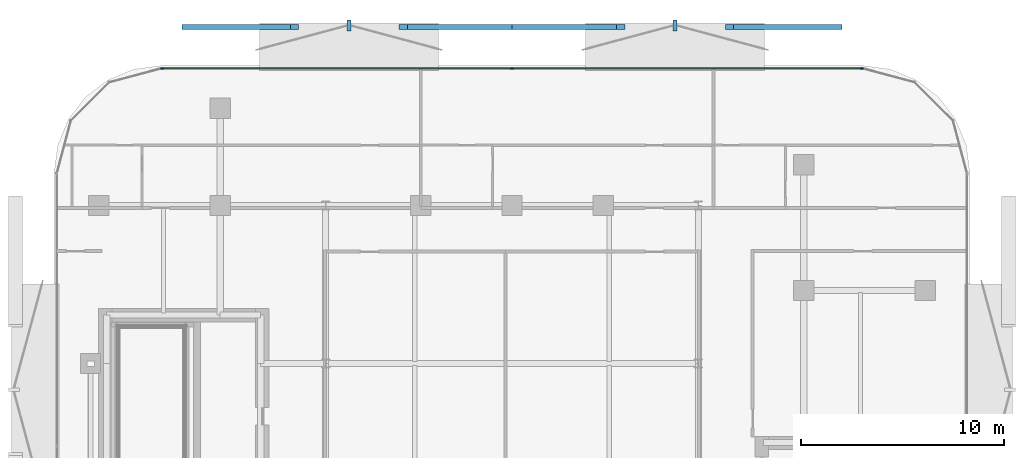
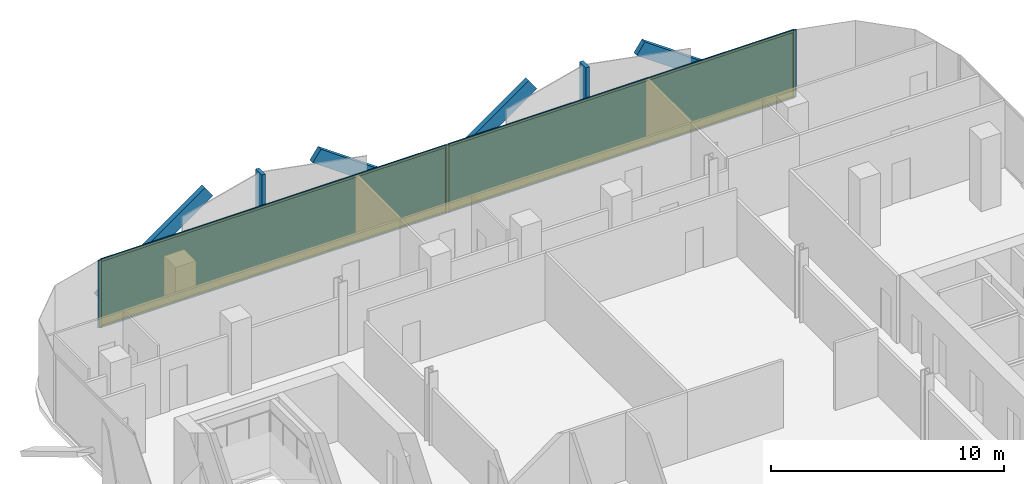
# One storey, part 11 of 16: 13 members, 2 plates, 1 curtain wall.
"""IFC4 building model written with IfcOpenShell, lengths in metres."""

from ifc_helpers import new_model, si_unit, direction, frame, frame_2d, origin, origin_2d, place, context, subcontext, project, spatial, rectangle, extrude, material, layer, layer_set, material_profile, profile_set, type_object, element, aggregate, save


model = new_model("IFC4")

# Units and contexts
model_context = context("Model", 3, precision=1e-05, world=origin(), true_north=direction((0.0, 1.0)))
body_context = subcontext(model_context, "Body", "Model", "MODEL_VIEW")
ifc_project = project(units=[si_unit("LENGTHUNIT", "METRE"), si_unit("AREAUNIT", "SQUARE_METRE"), si_unit("VOLUMEUNIT", "CUBIC_METRE"), si_unit("PLANEANGLEUNIT", "RADIAN"), si_unit("MASSUNIT", "GRAM", prefix="KILO")], contexts=[model_context])

# Member
ifc_material_1 = material(Name="Anodised Bronze Aluminium 6063-T6", Category="aluminium")
ifc_material_profile_1 = material_profile(ifc_material_1, rectangle(XDim=0.260009765625, YDim=0.699951171875, at=origin_2d()))
ifc_profile_set_1 = profile_set([ifc_material_profile_1], Name="Anodised Bronze Aluminium 6063-T6")
member_type_1 = type_object("IfcMemberType", Name="Bronze Diamond Solar-Screen Lattice Rib BDL-700", PredefinedType="MULLION", material=ifc_profile_set_1)
site_placement = place(None, origin())
building_placement = place(site_placement, origin())
storey_placement = place(building_placement, frame((0.0, 0.0, 206.800048828125)))
member_1_placement = place(storey_placement, frame((-16.0908203125, 27.39990234375, -0.130126953125), z_axis=(0.815960970702, 0.0, 0.578106992079), x_axis=(0.0, 1.0, 0.0)))
member_1 = element("IfcMember", 1, at=member_1_placement, type_object=member_type_1, Name="L48 Bronze Diamond Solar Screen Lattice Rib 325A", PredefinedType="MULLION", context=body_context, shape_type="SweptSolid", body=[
    extrude(rectangle(XDim=0.260009765625, YDim=0.699951171875, at=origin_2d()), origin(), (0.0, 0.0, 1.0), 6.5732421875),
])

member_2_placement = place(storey_placement, frame((0.0, 27.39990234375, -0.130126953125), z_axis=(-0.815960970702, 0.0, 0.578106992079), x_axis=(0.0, -1.0, 0.0)))
member_2 = element("IfcMember", 2, at=member_2_placement, type_object=member_type_1, Name="L48 Bronze Diamond Solar Screen Lattice Rib 325B", PredefinedType="MULLION", context=body_context, shape_type="SweptSolid", body=[
    extrude(rectangle(XDim=0.260009765625, YDim=0.699951171875, at=origin_2d()), origin(), (0.0, 0.0, 1.0), 6.5732421875),
])

member_3_placement = place(storey_placement, frame((0.0, 27.39990234375, -0.130126953125), z_axis=(0.815960970702, 0.0, 0.578106992079), x_axis=(0.0, 1.0, 0.0)))
member_3 = element("IfcMember", 3, at=member_3_placement, type_object=member_type_1, Name="L48 Bronze Diamond Solar Screen Lattice Rib 326A", PredefinedType="MULLION", context=body_context, shape_type="SweptSolid", body=[
    extrude(rectangle(XDim=0.260009765625, YDim=0.699951171875, at=origin_2d()), origin(), (0.0, 0.0, 1.0), 6.5732421875),
])

member_4_placement = place(storey_placement, frame((16.0908203125, 27.39990234375, -0.130126953125), z_axis=(-0.815960970702, 0.0, 0.578106992079), x_axis=(0.0, -1.0, 0.0)))
member_4 = element("IfcMember", 4, at=member_4_placement, type_object=member_type_1, Name="L48 Bronze Diamond Solar Screen Lattice Rib 326B", PredefinedType="MULLION", context=body_context, shape_type="SweptSolid", body=[
    extrude(rectangle(XDim=0.260009765625, YDim=0.699951171875, at=origin_2d()), origin(), (0.0, 0.0, 1.0), 6.5732421875),
])

ifc_material_2 = material(Name="Anodised Bronze Aluminium 6063-T6", Category="aluminium")
ifc_material_profile_2 = material_profile(ifc_material_2, rectangle(XDim=0.179931640625, YDim=0.5400390625, at=origin_2d()))
ifc_profile_set_2 = profile_set([ifc_material_profile_2], Name="Anodised Bronze Aluminium 6063-T6")
member_type_2 = type_object("IfcMemberType", Name="Bronze Solar-Screen Vertical Fold Fin BSF-540", PredefinedType="MULLION", material=ifc_profile_set_2)
member_5_placement = place(storey_placement, frame((-8.04541015625, 27.47998046875, -0.130126953125), z_axis=(0.0, 0.0, 1.0), x_axis=(1.0, 0.0, 0.0)))
member_5 = element("IfcMember", 5, at=member_5_placement, type_object=member_type_2, Name="L48 Bronze Solar Screen Vertical Fin 325", PredefinedType="MULLION", context=body_context, shape_type="SweptSolid", body=[
    extrude(rectangle(XDim=0.179931640625, YDim=0.5400390625, at=origin_2d()), origin(), (0.0, 0.0, 1.0), 3.800048828125),
])

member_6_placement = place(storey_placement, frame((8.04541015625, 27.47998046875, -0.130126953125), z_axis=(0.0, 0.0, 1.0), x_axis=(1.0, 0.0, 0.0)))
member_6 = element("IfcMember", 6, at=member_6_placement, type_object=member_type_2, Name="L48 Bronze Solar Screen Vertical Fin 326", PredefinedType="MULLION", context=body_context, shape_type="SweptSolid", body=[
    extrude(rectangle(XDim=0.179931640625, YDim=0.5400390625, at=origin_2d()), origin(), (0.0, 0.0, 1.0), 3.800048828125),
])

ifc_material_3 = material(Name="Anodised Bronze Aluminium 6063-T6", Category="aluminium")
ifc_material_profile_3 = material_profile(ifc_material_3, rectangle(XDim=0.06005859375, YDim=0.1650390625, at=origin_2d()))
ifc_profile_set_3 = profile_set([ifc_material_profile_3], Name="Anodised Bronze Aluminium 6063-T6")
member_type_3 = type_object("IfcMemberType", Name="CW-Z3 Mullion 60x165", PredefinedType="MULLION", material=ifc_profile_set_3)
member_7_placement = place(storey_placement, frame((-17.2607421875, 25.360107421875, 0.0), z_axis=(0.0, 0.0, 1.0), x_axis=(0.0, 1.0, 0.0)))
member_7 = element("IfcMember", 7, at=member_7_placement, type_object=member_type_3, Name="CW-Z3 mullion 1", PredefinedType="MULLION", context=body_context, shape_type="SweptSolid", body=[
    extrude(rectangle(XDim=0.06005859375, YDim=0.1650390625, at=origin_2d()), origin(), (0.0, 0.0, 1.0), 3.5400390625),
])

member_8_placement = place(storey_placement, frame((0.0, 25.360107421875, 0.0), z_axis=(0.0, 0.0, 1.0), x_axis=(0.0, 1.0, 0.0)))
member_8 = element("IfcMember", 8, at=member_8_placement, type_object=member_type_3, Name="CW-Z3 mullion 2", PredefinedType="MULLION", context=body_context, shape_type="SweptSolid", body=[
    extrude(rectangle(XDim=0.06005859375, YDim=0.1650390625, at=origin_2d()), origin(), (0.0, 0.0, 1.0), 3.5400390625),
])

member_9_placement = place(storey_placement, frame((17.2607421875, 25.360107421875, 0.0), z_axis=(0.0, 0.0, 1.0), x_axis=(0.0, 1.0, 0.0)))
member_9 = element("IfcMember", 9, at=member_9_placement, type_object=member_type_3, Name="CW-Z3 mullion 3", PredefinedType="MULLION", context=body_context, shape_type="SweptSolid", body=[
    extrude(rectangle(XDim=0.06005859375, YDim=0.1650390625, at=origin_2d()), origin(), (0.0, 0.0, 1.0), 3.5400390625),
])

ifc_material_4 = material(Name="Anodised Bronze Aluminium 6063-T6", Category="aluminium")
ifc_material_profile_4 = material_profile(ifc_material_4, rectangle(XDim=0.06005859375, YDim=0.1298828125, at=origin_2d()))
ifc_profile_set_4 = profile_set([ifc_material_profile_4], Name="Anodised Bronze Aluminium 6063-T6")
member_type_4 = type_object("IfcMemberType", Name="CW-Z3 Transom 60x130", PredefinedType="USERDEFINED", material=ifc_profile_set_4)
member_10_placement = place(storey_placement, frame((-17.230712890625, 25.360107421875, 0.030029296875), z_axis=(1.0, 0.0, 0.0), x_axis=(0.0, 1.0, 0.0)))
member_10 = element("IfcMember", 10, at=member_10_placement, type_object=member_type_4, Name="CW-Z3 transom 1.1", ObjectType="TRANSOM", PredefinedType="USERDEFINED", context=body_context, shape_type="SweptSolid", body=[
    extrude(rectangle(XDim=0.06005859375, YDim=0.1298828125, at=origin_2d()), origin(), (0.0, 0.0, 1.0), 17.20068359375),
])

member_11_placement = place(storey_placement, frame((-17.230712890625, 25.360107421875, 3.510009765625), z_axis=(1.0, 0.0, 0.0), x_axis=(0.0, 1.0, 0.0)))
member_11 = element("IfcMember", 11, at=member_11_placement, type_object=member_type_4, Name="CW-Z3 transom 1.2", ObjectType="TRANSOM", PredefinedType="USERDEFINED", context=body_context, shape_type="SweptSolid", body=[
    extrude(rectangle(XDim=0.06005859375, YDim=0.1298828125, at=origin_2d()), origin(), (0.0, 0.0, 1.0), 17.20068359375),
])

member_12_placement = place(storey_placement, frame((0.030029296875, 25.360107421875, 0.030029296875), z_axis=(1.0, 0.0, 0.0), x_axis=(0.0, 1.0, 0.0)))
member_12 = element("IfcMember", 12, at=member_12_placement, type_object=member_type_4, Name="CW-Z3 transom 2.1", ObjectType="TRANSOM", PredefinedType="USERDEFINED", context=body_context, shape_type="SweptSolid", body=[
    extrude(rectangle(XDim=0.06005859375, YDim=0.1298828125, at=origin_2d()), origin(), (0.0, 0.0, 1.0), 17.20068359375),
])

member_13_placement = place(storey_placement, frame((0.030029296875, 25.360107421875, 3.510009765625), z_axis=(1.0, 0.0, 0.0), x_axis=(0.0, 1.0, 0.0)))
member_13 = element("IfcMember", 13, at=member_13_placement, type_object=member_type_4, Name="CW-Z3 transom 2.2", ObjectType="TRANSOM", PredefinedType="USERDEFINED", context=body_context, shape_type="SweptSolid", body=[
    extrude(rectangle(XDim=0.06005859375, YDim=0.1298828125, at=origin_2d()), origin(), (0.0, 0.0, 1.0), 17.20068359375),
])

# Plate
ifc_material_5 = material(Name="Low-E Solar Control Laminated Glass", Category="glass")
ifc_layer_1 = layer(ifc_material_5, 0.030029296875, Name="Low-E Solar Control Laminated Glass")
ifc_layer_set_1 = layer_set([ifc_layer_1], Name="Low-E Solar Control Laminated Glass")
plate_type = type_object("IfcPlateType", Name="CW-Z3 Low-E Double Glazed Panel 30mm", PredefinedType="CURTAIN_PANEL", material=ifc_layer_set_1)
plate_1_placement = place(storey_placement, frame((-8.63037109375, 25.360107421875, 0.06005859375), z_axis=(0.0, 0.0, 1.0), x_axis=(1.0, 0.0, 0.0)))
plate_1 = element("IfcPlate", 14, at=plate_1_placement, type_object=plate_type, Name="CW-Z3 panel 1.1", PredefinedType="CURTAIN_PANEL", context=body_context, shape_type="SweptSolid", body=[
    extrude(rectangle(XDim=17.20068359375, YDim=0.030029296875, at=origin_2d()), origin(), (0.0, 0.0, 1.0), 3.419921875),
])

plate_2_placement = place(storey_placement, frame((8.63037109375, 25.360107421875, 0.06005859375), z_axis=(0.0, 0.0, 1.0), x_axis=(1.0, 0.0, 0.0)))
plate_2 = element("IfcPlate", 15, at=plate_2_placement, type_object=plate_type, Name="CW-Z3 panel 2.1", PredefinedType="CURTAIN_PANEL", context=body_context, shape_type="SweptSolid", body=[
    extrude(rectangle(XDim=17.20068359375, YDim=0.030029296875, at=origin_2d()), origin(), (0.0, 0.0, 1.0), 3.419921875),
])

# Site, building, storey
site = spatial("IfcSite", under=ifc_project, at=site_placement, CompositionType="ELEMENT")
building = spatial("IfcBuilding", under=site, at=building_placement, Name="Khairoan Windgate Tower", CompositionType="ELEMENT")
storey = spatial("IfcBuildingStorey", under=building, at=storey_placement, Name="L48", CompositionType="ELEMENT", Elevation=206.800048828125)

# Curtain wall
ifc_material_6 = material(Name="Anodised Bronze Aluminium 6063-T6", Category="aluminium")
ifc_layer_2 = layer(ifc_material_6, 0.1650390625, Name="Anodised Bronze Aluminium 6063-T6")
ifc_layer_set_2 = layer_set([ifc_layer_2], Name="Anodised Bronze Aluminium 6063-T6")
curtain_wall_type = type_object("IfcCurtainWallType", Name="Luxury Hotel Acoustic Curtain Wall CW-Z3", PredefinedType="NOTDEFINED", material=ifc_layer_set_2)
curtain_wall_placement = place(storey_placement, frame((-17.290771484375, 25.360107421875, 0.0), z_axis=(0.0, 0.0, 1.0), x_axis=(1.0, 0.0, 0.0)))
curtain_wall = element("IfcCurtainWall", 16, at=curtain_wall_placement, inside=storey, type_object=curtain_wall_type, Name="L48 Unitised Curtain Wall 9", PredefinedType="NOTDEFINED", context=body_context, shape_type="SweptSolid", body=[
    extrude(rectangle(XDim=34.58154296875, YDim=0.010009765625, at=frame_2d((17.290771484375, 0.0))), origin(), (0.0, 0.0, 1.0), 3.5400390625),
])

aggregate(curtain_wall, [member_7, member_8, member_9, member_10, member_11, plate_1, member_12, member_13, plate_2, member_1, member_2, member_5, member_3, member_4, member_6])

save(model, "model.ifc")
